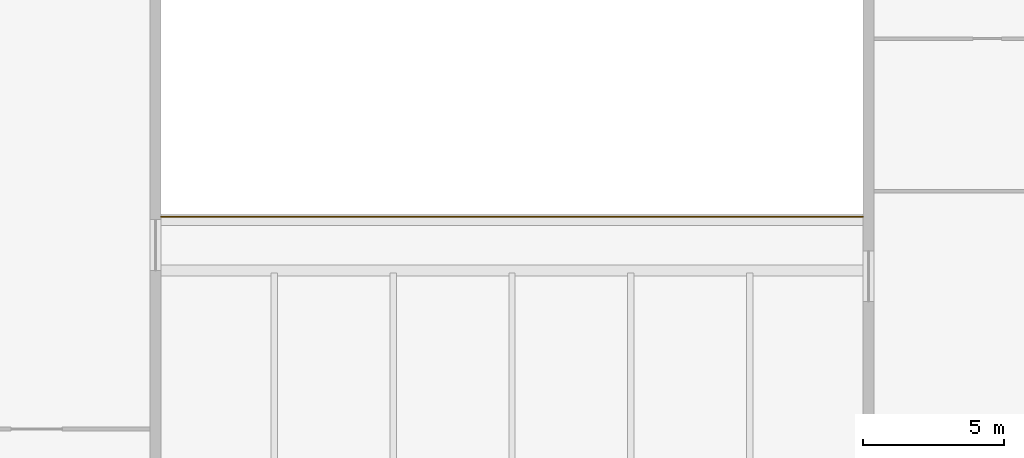
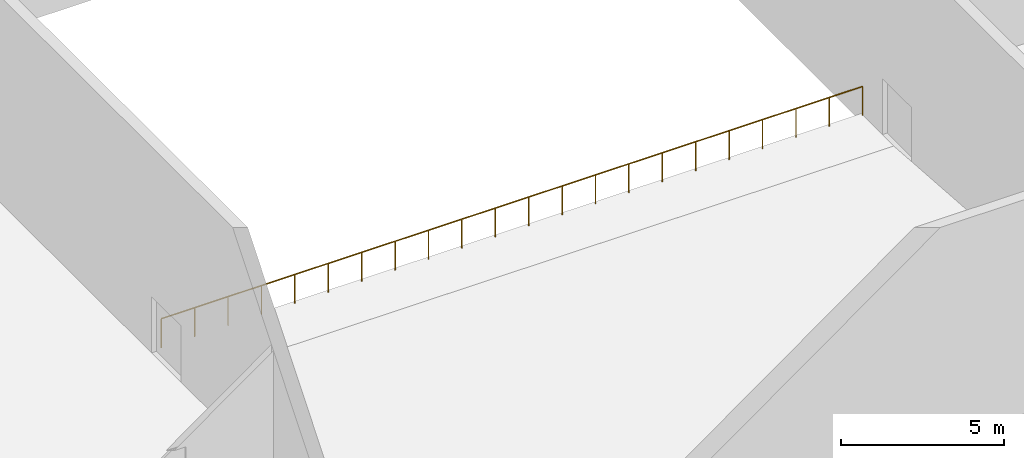
# One storey, part 50 of 52: 1 railing.
"""IFC4 building model written with IfcOpenShell, lengths in metres."""

from ifc_helpers import new_model, si_unit, direction, frame, origin, origin_2d, place, context, subcontext, project, spatial, circle, extrude, material, type_object, element, save


model = new_model("IFC4")

# Units and contexts
model_context = context("Model", 3, precision=1e-05, world=origin(), true_north=direction((0.0, 1.0)))
body_context = subcontext(model_context, "Body", "Model", "MODEL_VIEW")
ifc_project = project(units=[si_unit("LENGTHUNIT", "METRE"), si_unit("AREAUNIT", "SQUARE_METRE"), si_unit("VOLUMEUNIT", "CUBIC_METRE"), si_unit("PLANEANGLEUNIT", "RADIAN"), si_unit("MASSUNIT", "GRAM", prefix="KILO")], contexts=[model_context])

# Site, building, storey
site_placement = place(None, origin())
site = spatial("IfcSite", under=ifc_project, at=site_placement, CompositionType="ELEMENT")
building_placement = place(site_placement, origin())
building = spatial("IfcBuilding", under=site, at=building_placement, Name="Candeia Pilgrim Tower and Theatre", CompositionType="ELEMENT")
storey_placement = place(building_placement, frame((0.0, 0.0, 9.0)))
storey = spatial("IfcBuildingStorey", under=building, at=storey_placement, Name="L01", CompositionType="ELEMENT", Elevation=9.0)

# Railing
ifc_material = material(Name="Steel S355", Category="steel")
railing_type = type_object("IfcRailingType", Name="Guard 1100 steel balustrade", PredefinedType="GUARDRAIL", material=ifc_material)
railing_placement = place(storey_placement, frame((193.0, 81.89990234375, 0.0)))
element("IfcRailing", 1, at=railing_placement, inside=storey, type_object=railing_type, Name="Circle 1 front guard", PredefinedType="GUARDRAIL", context=body_context, shape_type="SweptSolid", body=[
    extrude(circle(Radius=0.02392578125, at=origin_2d()), frame((0.0, 0.0, 1.076171875), z_axis=(1.0, 0.0, 0.0), x_axis=(0.0, 1.0, 0.0)), (0.0, 0.0, 1.0), 24.800048828125),
    extrude(circle(Radius=0.02099609375, at=origin_2d()), origin(), (0.0, 0.0, 1.0), 1.052001953125),
    extrude(circle(Radius=0.02099609375, at=origin_2d()), frame((1.180908203125, 0.0, 0.0)), (0.0, 0.0, 1.0), 1.052001953125),
    extrude(circle(Radius=0.02099609375, at=origin_2d()), frame((2.36181640625, 0.0, 0.0)), (0.0, 0.0, 1.0), 1.052001953125),
    extrude(circle(Radius=0.02099609375, at=origin_2d()), frame((3.54296875, 0.0, 0.0)), (0.0, 0.0, 1.0), 1.052001953125),
    extrude(circle(Radius=0.02099609375, at=origin_2d()), frame((4.723876953125, 0.0, 0.0)), (0.0, 0.0, 1.0), 1.052001953125),
    extrude(circle(Radius=0.02099609375, at=origin_2d()), frame((5.90478515625, 0.0, 0.0)), (0.0, 0.0, 1.0), 1.052001953125),
    extrude(circle(Radius=0.02099609375, at=origin_2d()), frame((7.085693359375, 0.0, 0.0)), (0.0, 0.0, 1.0), 1.052001953125),
    extrude(circle(Radius=0.02099609375, at=origin_2d()), frame((8.2666015625, 0.0, 0.0)), (0.0, 0.0, 1.0), 1.052001953125),
    extrude(circle(Radius=0.02099609375, at=origin_2d()), frame((9.44775390625, 0.0, 0.0)), (0.0, 0.0, 1.0), 1.052001953125),
    extrude(circle(Radius=0.02099609375, at=origin_2d()), frame((10.628662109375, 0.0, 0.0)), (0.0, 0.0, 1.0), 1.052001953125),
    extrude(circle(Radius=0.02099609375, at=origin_2d()), frame((11.8095703125, 0.0, 0.0)), (0.0, 0.0, 1.0), 1.052001953125),
    extrude(circle(Radius=0.02099609375, at=origin_2d()), frame((12.990478515625, 0.0, 0.0)), (0.0, 0.0, 1.0), 1.052001953125),
    extrude(circle(Radius=0.02099609375, at=origin_2d()), frame((14.17138671875, 0.0, 0.0)), (0.0, 0.0, 1.0), 1.052001953125),
    extrude(circle(Radius=0.02099609375, at=origin_2d()), frame((15.352294921875, 0.0, 0.0)), (0.0, 0.0, 1.0), 1.052001953125),
    extrude(circle(Radius=0.02099609375, at=origin_2d()), frame((16.533447265625, 0.0, 0.0)), (0.0, 0.0, 1.0), 1.052001953125),
    extrude(circle(Radius=0.02099609375, at=origin_2d()), frame((17.71435546875, 0.0, 0.0)), (0.0, 0.0, 1.0), 1.052001953125),
    extrude(circle(Radius=0.02099609375, at=origin_2d()), frame((18.895263671875, 0.0, 0.0)), (0.0, 0.0, 1.0), 1.052001953125),
    extrude(circle(Radius=0.02099609375, at=origin_2d()), frame((20.076171875, 0.0, 0.0)), (0.0, 0.0, 1.0), 1.052001953125),
    extrude(circle(Radius=0.02099609375, at=origin_2d()), frame((21.257080078125, 0.0, 0.0)), (0.0, 0.0, 1.0), 1.052001953125),
    extrude(circle(Radius=0.02099609375, at=origin_2d()), frame((22.438232421875, 0.0, 0.0)), (0.0, 0.0, 1.0), 1.052001953125),
    extrude(circle(Radius=0.02099609375, at=origin_2d()), frame((23.619140625, 0.0, 0.0)), (0.0, 0.0, 1.0), 1.052001953125),
    extrude(circle(Radius=0.02099609375, at=origin_2d()), frame((24.800048828125, 0.0, 0.0)), (0.0, 0.0, 1.0), 1.052001953125),
])

save(model, "model.ifc")
